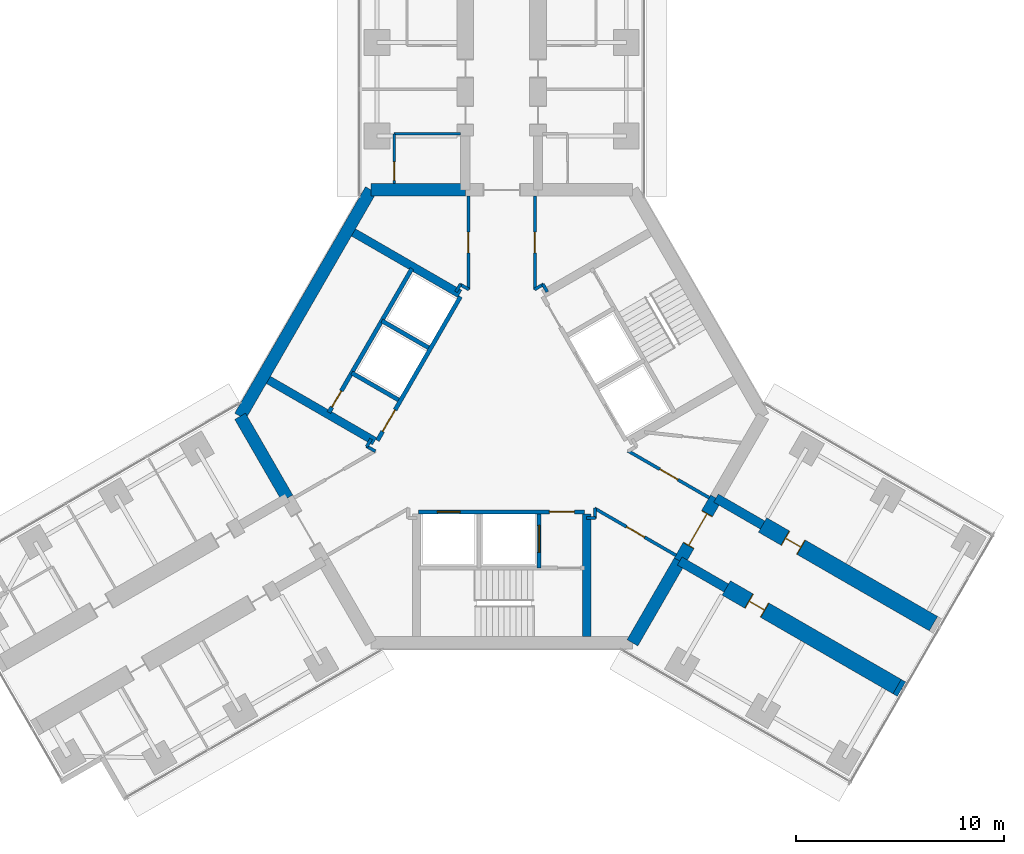
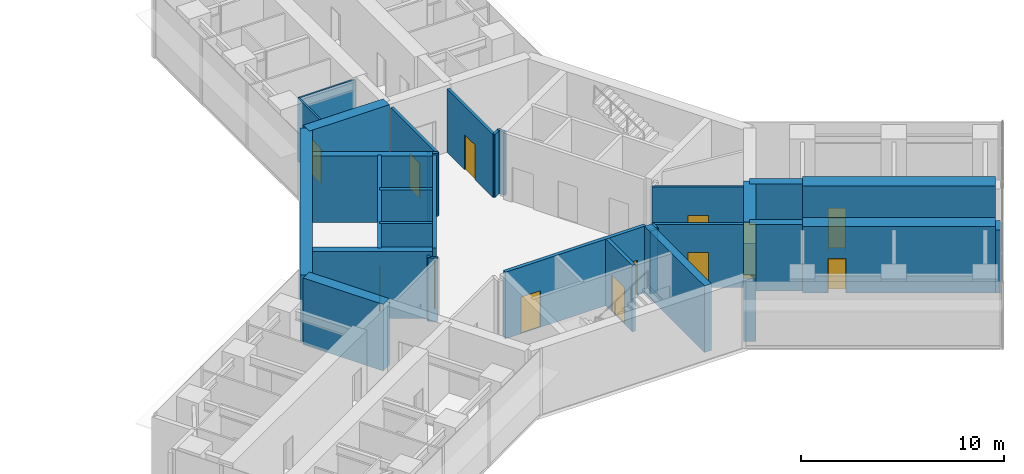
# One storey, part 19 of 23: 33 walls, 13 doors, 13 openings.
"""IFC4 building model written with IfcOpenShell, lengths in metres."""

from ifc_helpers import new_model, si_unit, direction, frame, frame_2d, origin, place, context, subcontext, project, spatial, rectangle, extrude, material, layer, layer_set, type_object, element, fill, save


model = new_model("IFC4")

# Units and contexts
model_context = context("Model", 3, precision=1e-05, world=origin(), true_north=direction((0.0, 1.0)))
body_context = subcontext(model_context, "Body", "Model", "MODEL_VIEW")
ifc_project = project(units=[si_unit("LENGTHUNIT", "METRE"), si_unit("AREAUNIT", "SQUARE_METRE"), si_unit("VOLUMEUNIT", "CUBIC_METRE"), si_unit("PLANEANGLEUNIT", "RADIAN"), si_unit("MASSUNIT", "GRAM", prefix="KILO")], contexts=[model_context])

# Site, building, storey
site_placement = place(None, origin())
site = spatial("IfcSite", under=ifc_project, at=site_placement, CompositionType="ELEMENT")
building_placement = place(site_placement, origin())
building = spatial("IfcBuilding", under=site, at=building_placement, Name="Upepo Twin Towers", CompositionType="ELEMENT")
storey_placement = place(building_placement, frame((0.0, 0.0, 149.5)))
storey = spatial("IfcBuildingStorey", under=building, at=storey_placement, Name="L36", CompositionType="ELEMENT", Elevation=149.5)

# Walls
ifc_material_1 = material(Name="Dense concrete blockwork", Category="masonry")
ifc_layer_1 = layer(ifc_material_1, 0.800048828125)
ifc_layer_set_1 = layer_set([ifc_layer_1], Name="Buttress closer 800, blockwork with fire-stopping to the curtain wall")
wall_type_1 = type_object("IfcWallType", Name="Buttress closer 800, blockwork with fire-stopping to the curtain wall", PredefinedType="PARTITIONING", material=ifc_layer_set_1)
wall_1_placement = place(storey_placement, frame((77.543701171875, -31.015625, 0.0), z_axis=(0.0, 0.0, 1.0), x_axis=(0.865827443207, -0.500342721131, 0.0)))
element("IfcWall", 1, at=wall_1_placement, inside=storey, type_object=wall_type_1, Name="T2 L36 wing C buttress closer R", PredefinedType="PARTITIONING", context=body_context, shape_type="SweptSolid", body=[
    extrude(rectangle(XDim=0.249755859375, YDim=0.800048828125, at=frame_2d((0.125, 0.0))), origin(), (0.0, 0.0, 1.0), 3.800048828125),
])
ifc_material_2 = material(Name="Concrete C60/75", Category="concrete")
ifc_layer_2 = layer(ifc_material_2, 0.449951171875)
ifc_layer_set_2 = layer_set([ifc_layer_2], Name="Concrete C60/75")
wall_type_2 = type_object("IfcWallType", Name="Buttress wall 450 RC", PredefinedType="SHEAR", material=ifc_layer_set_2)
for number, where, z_axis, x_axis, name in (
    (2, (68.82177734375, -21.938720703125, 0.0), (0.0, 0.0, 1.0), (0.866072649678, -0.499918158782, 0.0), "T2 wing C buttress wall L"),
    (3, (67.07177734375, -24.9697265625, 0.0), (0.0, 0.0, 1.0), (0.866031863473, -0.499988811324, 0.0), "T2 wing C buttress wall R"),
):
    element("IfcWall", number, at=place(storey_placement, frame(where, z_axis=z_axis, x_axis=x_axis)), inside=storey, type_object=wall_type_2, Name=name, PredefinedType="SHEAR", context=body_context, shape_type="SweptSolid", body=[
        extrude(rectangle(XDim=2.591796875, YDim=0.449951171875, at=frame_2d((1.2958984375, 0.0))), origin(), (0.0, 0.0, 1.0), 4.0),
    ])

# Wall, opening, door
ifc_material_3 = material(Name="Concrete C60/75", Category="concrete")
ifc_layer_3 = layer(ifc_material_3, 0.800048828125)
ifc_layer_set_3 = layer_set([ifc_layer_3], Name="Concrete C60/75")
wall_type_3 = type_object("IfcWallType", Name="Buttress wall 800 RC", PredefinedType="SHEAR", material=ifc_layer_set_3)
wall_2_placement = place(storey_placement, frame((71.06640625, -23.234375, 0.0), z_axis=(0.0, 0.0, 1.0), x_axis=(0.86602681393, -0.499997557548, 0.0)))
wall_2 = element("IfcWall", 4, at=wall_2_placement, inside=storey, type_object=wall_type_3, Name="T2 wing C buttress wall L part 2", PredefinedType="SHEAR", context=body_context, shape_type="SweptSolid", body=[
    extrude(rectangle(XDim=9.5, YDim=0.800048828125, at=frame_2d((4.75, 0.0))), origin(), (0.0, 0.0, 1.0), 4.0),
])
opening_1_placement = place(wall_2_placement, frame((1.25, 0.0, 0.0)))
opening_1 = element("IfcOpeningElement", 5, at=opening_1_placement, cuts=wall_2, Name="Opening D14", PredefinedType="OPENING", context=body_context, shape_type="SweptSolid", body=[
    extrude(rectangle(XDim=0.89990234375, YDim=2.10009765625, at=frame_2d((0.449951171875, 1.050048828125))), frame((0.0, 0.409912109375, 0.0), z_axis=(0.0, -1.0, 0.0), x_axis=(1.0, 0.0, 0.0)), (0.0, 0.0, 1.0), 0.820068359375),
])
ifc_material_4 = material(Name="Timber doorset", Category="wood")
door_type_1 = type_object("IfcDoorType", Name="Office door 900 FD30", OperationType="SINGLE_SWING_LEFT", PredefinedType="DOOR", material=ifc_material_4)
door_1_placement = place(opening_1_placement, origin())
door_1 = element("IfcDoor", 6, at=door_1_placement, inside=storey, type_object=door_type_1, Name="T2 L36 staff office door", OperationType="SINGLE_SWING_LEFT", OverallHeight=2.10009765625, OverallWidth=0.89990234375, PredefinedType="DOOR", context=body_context, shape_type="SweptSolid", body=[
    extrude(rectangle(XDim=0.81990234375, YDim=2.06009765625, at=frame_2d((0.449951171875, 1.030029296875))), frame((0.0, 0.02490234375, 0.0), z_axis=(0.0, -1.0, 0.0), x_axis=(1.0, 0.0, 0.0)), (0.0, 0.0, 1.0), 0.050048828125),
    extrude(rectangle(XDim=0.04, YDim=2.10009765625, at=frame_2d((0.02001953125, 1.050048828125))), frame((0.0, 0.39990234375, 0.0), z_axis=(0.0, -1.0, 0.0), x_axis=(1.0, 0.0, 0.0)), (0.0, 0.0, 1.0), 0.799560546875),
    extrude(rectangle(XDim=0.04, YDim=2.10009765625, at=frame_2d((0.8798828125, 1.050048828125))), frame((0.0, 0.39990234375, 0.0), z_axis=(0.0, -1.0, 0.0), x_axis=(1.0, 0.0, 0.0)), (0.0, 0.0, 1.0), 0.799560546875),
    extrude(rectangle(XDim=0.81990234375, YDim=0.04, at=frame_2d((0.449951171875, 2.080078125))), frame((0.0, 0.39990234375, 0.0), z_axis=(0.0, -1.0, 0.0), x_axis=(1.0, 0.0, 0.0)), (0.0, 0.0, 1.0), 0.799560546875),
])
fill(opening_1, door_1)

wall_3_placement = place(storey_placement, frame((69.31640625, -26.265625, 0.0), z_axis=(0.0, 0.0, 1.0), x_axis=(0.86602681393, -0.499997557548, 0.0)))
wall_3 = element("IfcWall", 7, at=wall_3_placement, inside=storey, type_object=wall_type_3, Name="T2 wing C buttress wall R part 2", PredefinedType="SHEAR", context=body_context, shape_type="SweptSolid", body=[
    extrude(rectangle(XDim=9.5, YDim=0.800048828125, at=frame_2d((4.75, 0.0))), origin(), (0.0, 0.0, 1.0), 4.0),
])
opening_2_placement = place(wall_3_placement, frame((1.25, 0.0, 0.0)))
opening_2 = element("IfcOpeningElement", 8, at=opening_2_placement, cuts=wall_3, Name="Opening D14", PredefinedType="OPENING", context=body_context, shape_type="SweptSolid", body=[
    extrude(rectangle(XDim=0.89990234375, YDim=2.10009765625, at=frame_2d((0.449951171875, 1.050048828125))), frame((0.0, 0.409912109375, 0.0), z_axis=(0.0, -1.0, 0.0), x_axis=(1.0, 0.0, 0.0)), (0.0, 0.0, 1.0), 0.820068359375),
])
door_2_placement = place(opening_2_placement, origin())
door_2 = element("IfcDoor", 9, at=door_2_placement, inside=storey, type_object=door_type_1, Name="T2 L36 staff office door", OperationType="SINGLE_SWING_LEFT", OverallHeight=2.10009765625, OverallWidth=0.89990234375, PredefinedType="DOOR", context=body_context, shape_type="SweptSolid", body=[
    extrude(rectangle(XDim=0.81990234375, YDim=2.06009765625, at=frame_2d((0.449951171875, 1.030029296875))), frame((0.0, 0.02490234375, 0.0), z_axis=(0.0, -1.0, 0.0), x_axis=(1.0, 0.0, 0.0)), (0.0, 0.0, 1.0), 0.050048828125),
    extrude(rectangle(XDim=0.04, YDim=2.10009765625, at=frame_2d((0.02001953125, 1.050048828125))), frame((0.0, 0.39990234375, 0.0), z_axis=(0.0, -1.0, 0.0), x_axis=(1.0, 0.0, 0.0)), (0.0, 0.0, 1.0), 0.799560546875),
    extrude(rectangle(XDim=0.04, YDim=2.10009765625, at=frame_2d((0.8798828125, 1.050048828125))), frame((0.0, 0.39990234375, 0.0), z_axis=(0.0, -1.0, 0.0), x_axis=(1.0, 0.0, 0.0)), (0.0, 0.0, 1.0), 0.799560546875),
    extrude(rectangle(XDim=0.81990234375, YDim=0.04, at=frame_2d((0.449951171875, 2.080078125))), frame((0.0, 0.39990234375, 0.0), z_axis=(0.0, -1.0, 0.0), x_axis=(1.0, 0.0, 0.0)), (0.0, 0.0, 1.0), 0.799560546875),
])
fill(opening_2, door_2)

# Walls
ifc_material_5 = material(Name="Concrete C60/75", Category="concrete")
ifc_layer_4 = layer(ifc_material_5, 0.60009765625)
ifc_layer_set_4 = layer_set([ifc_layer_4], Name="Concrete C60/75")
wall_type_4 = type_object("IfcWallType", Name="Core wall 600 RC", PredefinedType="SHEAR", material=ifc_layer_set_4)
wall_4_placement = place(storey_placement, frame((56.75, -7.091552734375, 0.0), z_axis=(0.0, 0.0, 1.0), x_axis=(-1.0, 0.0, 0.0)))
element("IfcWall", 10, at=wall_4_placement, inside=storey, type_object=wall_type_4, Name="T2 core wall 000 L", PredefinedType="SHEAR", context=body_context, shape_type="SweptSolid", body=[
    extrude(rectangle(XDim=4.5478515625, YDim=0.60009765625, at=frame_2d((2.27392578125, 0.0))), origin(), (0.0, 0.0, 1.0), 4.0),
])
wall_5_placement = place(storey_placement, frame((52.2021484375, -7.091552734375, 0.0), z_axis=(0.0, 0.0, 1.0), x_axis=(-0.500005998175, -0.866021940709, 0.0)))
element("IfcWall", 11, at=wall_5_placement, inside=storey, type_object=wall_type_4, Name="T2 core wall 060", PredefinedType="SHEAR", context=body_context, shape_type="SweptSolid", body=[
    extrude(rectangle(XDim=12.595947265625, YDim=0.60009765625, at=frame_2d((6.2978515625, 0.0))), origin(), (0.0, 0.0, 1.0), 4.0),
])
for number, where, z_axis, x_axis, name in (
    (12, (45.904052734375, -18.0, 0.0), (0.0, 0.0, 1.0), (0.500024481964, -0.866011268655, 0.0), "T2 core wall 120 R"),
    (13, (64.7978515625, -28.908447265625, 0.0), (0.0, 0.0, 1.0), (0.499984222037, 0.866034513004, 0.0), "T2 core wall 240 R"),
):
    element("IfcWall", number, at=place(storey_placement, frame(where, z_axis=z_axis, x_axis=x_axis)), inside=storey, type_object=wall_type_4, Name=name, PredefinedType="SHEAR", context=body_context, shape_type="SweptSolid", body=[
        extrude(rectangle(XDim=4.548095703125, YDim=0.60009765625, at=frame_2d((2.27392578125, 0.0))), origin(), (0.0, 0.0, 1.0), 4.0),
    ])

# Wall, opening, door
wall_6_placement = place(storey_placement, frame((67.07177734375, -24.9697265625, 0.0), z_axis=(0.0, 0.0, 1.0), x_axis=(0.500010275428, 0.866019471182, 0.0)))
wall_6 = element("IfcWall", 14, at=wall_6_placement, inside=storey, type_object=wall_type_4, Name="T2 core wall 240", PredefinedType="SHEAR", context=body_context, shape_type="SweptSolid", body=[
    extrude(rectangle(XDim=3.5, YDim=0.60009765625, at=frame_2d((1.75, 0.0))), origin(), (0.0, 0.0, 1.0), 4.0),
])
opening_3_placement = place(wall_6_placement, frame((0.85009765625, 0.0, 0.0)))
opening_3 = element("IfcOpeningElement", 15, at=opening_3_placement, cuts=wall_6, Name="Opening D2", PredefinedType="OPENING", context=body_context, shape_type="SweptSolid", body=[
    extrude(rectangle(XDim=1.800048828125, YDim=2.10009765625, at=frame_2d((0.89990234375, 1.050048828125))), frame((0.0, 0.31005859375, 0.0), z_axis=(0.0, -1.0, 0.0), x_axis=(1.0, 0.0, 0.0)), (0.0, 0.0, 1.0), 0.6201171875),
])
ifc_material_6 = material(Name="Timber doorset", Category="wood")
door_type_2 = type_object("IfcDoorType", Name="Corridor double door 1800 FD60", OperationType="DOUBLE_DOOR_DOUBLE_SWING", PredefinedType="DOOR", material=ifc_material_6)
door_3_placement = place(opening_3_placement, origin())
door_3 = element("IfcDoor", 16, at=door_3_placement, inside=storey, type_object=door_type_2, Name="T2 L36 wing C corridor door", OperationType="DOUBLE_DOOR_DOUBLE_SWING", OverallHeight=2.10009765625, OverallWidth=1.800048828125, PredefinedType="DOOR", context=body_context, shape_type="SweptSolid", body=[
    extrude(rectangle(XDim=1.720048828125, YDim=2.06009765625, at=frame_2d((0.89990234375, 1.030029296875))), frame((0.0, 0.02490234375, 0.0), z_axis=(0.0, -1.0, 0.0), x_axis=(1.0, 0.0, 0.0)), (0.0, 0.0, 1.0), 0.050048828125),
    extrude(rectangle(XDim=0.04, YDim=2.10009765625, at=frame_2d((0.02001953125, 1.050048828125))), frame((0.0, 0.2998046875, 0.0), z_axis=(0.0, -1.0, 0.0), x_axis=(1.0, 0.0, 0.0)), (0.0, 0.0, 1.0), 0.599609375),
    extrude(rectangle(XDim=0.04, YDim=2.10009765625, at=frame_2d((1.780029296875, 1.050048828125))), frame((0.0, 0.2998046875, 0.0), z_axis=(0.0, -1.0, 0.0), x_axis=(1.0, 0.0, 0.0)), (0.0, 0.0, 1.0), 0.599609375),
    extrude(rectangle(XDim=1.720048828125, YDim=0.04, at=frame_2d((0.89990234375, 2.080078125))), frame((0.0, 0.2998046875, 0.0), z_axis=(0.0, -1.0, 0.0), x_axis=(1.0, 0.0, 0.0)), (0.0, 0.0, 1.0), 0.599609375),
])
fill(opening_3, door_3)

ifc_material_7 = material(Name="Gypsum board on steel studs", Category="steel")
ifc_layer_5 = layer(ifc_material_7, 0.10009765625)
ifc_layer_set_5 = layer_set([ifc_layer_5], Name="Office partition 100 stud")
wall_type_5 = type_object("IfcWallType", Name="Office partition 100 stud", PredefinedType="PARTITIONING", material=ifc_layer_set_5)
wall_7_placement = place(storey_placement, frame((53.324951171875, -6.7919921875, 0.0), z_axis=(0.0, 0.0, 1.0), x_axis=(0.0, 1.0, 0.0)))
wall_7 = element("IfcWall", 17, at=wall_7_placement, inside=storey, type_object=wall_type_5, Name="T2 WC bay partition AL at 11.21", PredefinedType="PARTITIONING", context=body_context, shape_type="SweptSolid", body=[
    extrude(rectangle(XDim=2.39990234375, YDim=0.10009765625, at=frame_2d((1.199951171875, 0.0))), origin(), (0.0, 0.0, 1.0), 3.800048828125),
])
opening_4_placement = place(wall_7_placement, frame((0.14990234375, 0.0, 0.0)))
opening_4 = element("IfcOpeningElement", 18, at=opening_4_placement, cuts=wall_7, Name="Opening D14", PredefinedType="OPENING", context=body_context, shape_type="SweptSolid", body=[
    extrude(rectangle(XDim=0.89990234375, YDim=2.10009765625, at=frame_2d((0.449951171875, 1.050048828125))), frame((0.0, 0.06005859375, 0.0), z_axis=(0.0, -1.0, 0.0), x_axis=(1.0, 0.0, 0.0)), (0.0, 0.0, 1.0), 0.1201171875),
])
door_4_placement = place(opening_4_placement, origin())
door_4 = element("IfcDoor", 19, at=door_4_placement, inside=storey, type_object=door_type_1, Name="T2 L36 WC bay inner room door", OperationType="SINGLE_SWING_LEFT", OverallHeight=2.10009765625, OverallWidth=0.89990234375, PredefinedType="DOOR", context=body_context, shape_type="SweptSolid", body=[
    extrude(rectangle(XDim=0.89990234375, YDim=2.10009765625, at=frame_2d((0.449951171875, 1.050048828125))), frame((0.0, 0.02490234375, 0.0), z_axis=(0.0, -1.0, 0.0), x_axis=(1.0, 0.0, 0.0)), (0.0, 0.0, 1.0), 0.050048828125),
])
fill(opening_4, door_4)

# Wall
wall_8_placement = place(storey_placement, frame((56.52490234375, -4.39208984375, 0.0), z_axis=(0.0, 0.0, 1.0), x_axis=(-1.0, 0.0, 0.0)))
element("IfcWall", 20, at=wall_8_placement, inside=storey, type_object=wall_type_5, Name="T2 WC bay partition AL end at 13.61", PredefinedType="PARTITIONING", context=body_context, shape_type="SweptSolid", body=[
    extrude(rectangle(XDim=3.199951171875, YDim=0.10009765625, at=frame_2d((1.60009765625, 0.0))), origin(), (0.0, 0.0, 1.0), 3.800048828125),
])

# Wall, opening, door
ifc_material_8 = material(Name="Concrete C40/50", Category="concrete")
ifc_layer_6 = layer(ifc_material_8, 0.199951171875)
ifc_layer_set_6 = layer_set([ifc_layer_6], Name="Concrete C40/50")
wall_type_6 = type_object("IfcWallType", Name="Shaft wall 200 RC", PredefinedType="SHEAR", material=ifc_layer_set_6)
wall_9_placement = place(storey_placement, frame((56.516357421875, -12.23583984375, 0.0), z_axis=(0.0, 0.0, 1.0), x_axis=(-0.49999894854, -0.866026010844, 0.0)))
wall_9 = element("IfcWall", 21, at=wall_9_placement, inside=storey, type_object=wall_type_6, Name="T2 core W60 front wall", PredefinedType="SHEAR", context=body_context, shape_type="SweptSolid", body=[
    extrude(rectangle(XDim=8.0, YDim=0.199951171875, at=frame_2d((4.0, 0.0))), origin(), (0.0, 0.0, 1.0), 4.0),
])
opening_5_placement = place(wall_9_placement, frame((6.300048828125, 0.0, 0.0)))
opening_5 = element("IfcOpeningElement", 22, at=opening_5_placement, cuts=wall_9, Name="Opening D4", PredefinedType="OPENING", context=body_context, shape_type="SweptSolid", body=[
    extrude(rectangle(XDim=1.199951171875, YDim=2.10009765625, at=frame_2d((0.60009765625, 1.050048828125))), frame((0.0, 0.10986328125, 0.0), z_axis=(0.0, -1.0, 0.0), x_axis=(1.0, 0.0, 0.0)), (0.0, 0.0, 1.0), 0.219970703125),
])
ifc_material_9 = material(Name="Timber doorset", Category="wood")
door_type_3 = type_object("IfcDoorType", Name="Lobby door 1200 FD60", OperationType="SINGLE_SWING_LEFT", PredefinedType="DOOR", material=ifc_material_9)
door_5_placement = place(opening_5_placement, origin())
door_5 = element("IfcDoor", 23, at=door_5_placement, inside=storey, type_object=door_type_3, Name="T2 L36 W60 lobby door", OperationType="SINGLE_SWING_RIGHT", OverallHeight=2.10009765625, OverallWidth=1.199951171875, PredefinedType="DOOR", context=body_context, shape_type="SweptSolid", body=[
    extrude(rectangle(XDim=1.199951171875, YDim=2.10009765625, at=frame_2d((0.60009765625, 1.050048828125))), frame((0.0, 0.02490234375, 0.0), z_axis=(0.0, -1.0, 0.0), x_axis=(1.0, 0.0, 0.0)), (0.0, 0.0, 1.0), 0.050048828125),
])
fill(opening_5, door_5)

# Walls
for number, where, z_axis, x_axis, name in (
    (24, (54.979736328125, -14.697265625, 0.0), (0.0, 0.0, 1.0), (-0.866062058628, 0.499936506574, 0.0), "T2 core W60 shaft divider"),
    (25, (53.52978515625, -17.208740234375, 0.0), (0.0, 0.0, 1.0), (-0.866062058628, 0.499936506574, 0.0), "T2 core W60 lobby wall"),
):
    element("IfcWall", number, at=place(storey_placement, frame(where, z_axis=z_axis, x_axis=x_axis)), inside=storey, type_object=wall_type_6, Name=name, PredefinedType="SHEAR", context=body_context, shape_type="SweptSolid", body=[
        extrude(rectangle(XDim=2.599853515625, YDim=0.199951171875, at=frame_2d((1.2998046875, 0.0))), origin(), (0.0, 0.0, 1.0), 4.0),
    ])

# Wall, opening, door
wall_10_placement = place(storey_placement, frame((54.177978515625, -10.885986328125, 0.0), z_axis=(0.0, 0.0, 1.0), x_axis=(-0.49999894854, -0.866026010844, 0.0)))
wall_10 = element("IfcWall", 26, at=wall_10_placement, inside=storey, type_object=wall_type_6, Name="T2 core W60 stair wall", PredefinedType="SHEAR", context=body_context, shape_type="SweptSolid", body=[
    extrude(rectangle(XDim=8.0, YDim=0.199951171875, at=frame_2d((4.0, 0.0))), origin(), (0.0, 0.0, 1.0), 4.0),
])
opening_6_placement = place(wall_10_placement, frame((6.800048828125, 0.0, 0.0)))
opening_6 = element("IfcOpeningElement", 27, at=opening_6_placement, cuts=wall_10, Name="Opening D9", PredefinedType="OPENING", context=body_context, shape_type="SweptSolid", body=[
    extrude(rectangle(XDim=0.89990234375, YDim=2.10009765625, at=frame_2d((0.449951171875, 1.050048828125))), frame((0.0, 0.10986328125, 0.0), z_axis=(0.0, -1.0, 0.0), x_axis=(1.0, 0.0, 0.0)), (0.0, 0.0, 1.0), 0.219970703125),
])
ifc_material_10 = material(Name="Timber doorset", Category="wood")
door_type_4 = type_object("IfcDoorType", Name="Riser door 900 FD60", OperationType="SINGLE_SWING_LEFT", PredefinedType="DOOR", material=ifc_material_10)
door_6_placement = place(opening_6_placement, origin())
door_6 = element("IfcDoor", 28, at=door_6_placement, inside=storey, type_object=door_type_4, Name="T2 L36 riser door", OperationType="SINGLE_SWING_RIGHT", OverallHeight=2.10009765625, OverallWidth=0.89990234375, PredefinedType="DOOR", context=body_context, shape_type="SweptSolid", body=[
    extrude(rectangle(XDim=0.89990234375, YDim=2.10009765625, at=frame_2d((0.449951171875, 1.050048828125))), frame((0.0, 0.02490234375, 0.0), z_axis=(0.0, -1.0, 0.0), x_axis=(1.0, 0.0, 0.0)), (0.0, 0.0, 1.0), 0.050048828125),
])
fill(opening_6, door_6)

# Wall, openings, doors
wall_11_placement = place(storey_placement, frame((54.5, -22.60009765625, 0.0), z_axis=(0.0, 0.0, 1.0), x_axis=(1.0, 0.0, 0.0)))
wall_11 = element("IfcWall", 29, at=wall_11_placement, inside=storey, type_object=wall_type_6, Name="T2 core W180 front wall", PredefinedType="SHEAR", context=body_context, shape_type="SweptSolid", body=[
    extrude(rectangle(XDim=8.0, YDim=0.199951171875, at=frame_2d((4.0, 0.0))), origin(), (0.0, 0.0, 1.0), 4.0),
])
opening_7_placement = place(wall_11_placement, frame((6.300048828125, 0.0, 0.0)))
opening_7 = element("IfcOpeningElement", 30, at=opening_7_placement, cuts=wall_11, Name="Opening D4", PredefinedType="OPENING", context=body_context, shape_type="SweptSolid", body=[
    extrude(rectangle(XDim=1.199951171875, YDim=2.10009765625, at=frame_2d((0.60009765625, 1.050048828125))), frame((0.0, 0.10986328125, 0.0), z_axis=(0.0, -1.0, 0.0), x_axis=(1.0, 0.0, 0.0)), (0.0, 0.0, 1.0), 0.219970703125),
])
opening_8_placement = place(wall_11_placement, frame((0.89990234375, 0.0, 0.0)))
opening_8 = element("IfcOpeningElement", 31, at=opening_8_placement, cuts=wall_11, Name="Opening LD1", PredefinedType="OPENING", context=body_context, shape_type="SweptSolid", body=[
    extrude(rectangle(XDim=1.10009765625, YDim=2.199951171875, at=frame_2d((0.550048828125, 1.10009765625))), frame((0.0, 0.10986328125, 0.0), z_axis=(0.0, -1.0, 0.0), x_axis=(1.0, 0.0, 0.0)), (0.0, 0.0, 1.0), 0.219970703125),
])
ifc_material_11 = material(Name="Steel doorset", Category="steel")
door_type_5 = type_object("IfcDoorType", Name="Lift landing door 1100", OperationType="DOUBLE_DOOR_SLIDING", PredefinedType="DOOR", material=ifc_material_11)
door_7_placement = place(opening_8_placement, origin())
door_7 = element("IfcDoor", 32, at=door_7_placement, inside=storey, type_object=door_type_5, Name="T2 L36 lift SV1 landing door", OperationType="DOUBLE_DOOR_SLIDING", OverallHeight=2.199951171875, OverallWidth=1.10009765625, PredefinedType="DOOR", context=body_context, shape_type="SweptSolid", body=[
    extrude(rectangle(XDim=1.10009765625, YDim=2.199951171875, at=frame_2d((0.550048828125, 1.10009765625))), frame((0.0, 0.02490234375, 0.0), z_axis=(0.0, -1.0, 0.0), x_axis=(1.0, 0.0, 0.0)), (0.0, 0.0, 1.0), 0.050048828125),
])
fill(opening_8, door_7)
door_8_placement = place(opening_7_placement, origin())
door_8 = element("IfcDoor", 33, at=door_8_placement, inside=storey, type_object=door_type_3, Name="T2 L36 W180 lobby door", OperationType="SINGLE_SWING_RIGHT", OverallHeight=2.10009765625, OverallWidth=1.199951171875, PredefinedType="DOOR", context=body_context, shape_type="SweptSolid", body=[
    extrude(rectangle(XDim=1.199951171875, YDim=2.10009765625, at=frame_2d((0.60009765625, 1.050048828125))), frame((0.0, 0.02490234375, 0.0), z_axis=(0.0, -1.0, 0.0), x_axis=(1.0, 0.0, 0.0)), (0.0, 0.0, 1.0), 0.050048828125),
])
fill(opening_7, door_8)

# Wall, opening, door
wall_12_placement = place(storey_placement, frame((60.300048828125, -22.699951171875, 0.0), z_axis=(0.0, 0.0, 1.0), x_axis=(0.0, -1.0, 0.0)))
wall_12 = element("IfcWall", 34, at=wall_12_placement, inside=storey, type_object=wall_type_6, Name="T2 core W180 lobby wall", PredefinedType="SHEAR", context=body_context, shape_type="SweptSolid", body=[
    extrude(rectangle(XDim=2.60009765625, YDim=0.199951171875, at=frame_2d((1.300048828125, 0.0))), origin(), (0.0, 0.0, 1.0), 4.0),
])
opening_9_placement = place(wall_12_placement, frame((0.550048828125, 0.0, 0.0)))
opening_9 = element("IfcOpeningElement", 35, at=opening_9_placement, cuts=wall_12, Name="Opening LD2", PredefinedType="OPENING", context=body_context, shape_type="SweptSolid", body=[
    extrude(rectangle(XDim=1.300048828125, YDim=2.199951171875, at=frame_2d((0.64990234375, 1.10009765625))), frame((0.0, 0.10986328125, 0.0), z_axis=(0.0, -1.0, 0.0), x_axis=(1.0, 0.0, 0.0)), (0.0, 0.0, 1.0), 0.219970703125),
])
ifc_material_12 = material(Name="Steel doorset", Category="steel")
door_type_6 = type_object("IfcDoorType", Name="Firefighting lift landing door 1300", OperationType="DOUBLE_DOOR_SLIDING", PredefinedType="DOOR", material=ifc_material_12)
door_9_placement = place(opening_9_placement, origin())
door_9 = element("IfcDoor", 36, at=door_9_placement, inside=storey, type_object=door_type_6, Name="T2 L36 firefighting lift landing door", OperationType="DOUBLE_DOOR_SLIDING", OverallHeight=2.199951171875, OverallWidth=1.300048828125, PredefinedType="DOOR", context=body_context, shape_type="SweptSolid", body=[
    extrude(rectangle(XDim=1.300048828125, YDim=2.199951171875, at=frame_2d((0.64990234375, 1.10009765625))), frame((0.0, 0.02490234375, 0.0), z_axis=(0.0, -1.0, 0.0), x_axis=(1.0, 0.0, 0.0)), (0.0, 0.0, 1.0), 0.050048828125),
])
fill(opening_9, door_9)

# Walls
ifc_material_13 = material(Name="Concrete C40/50", Category="concrete")
ifc_layer_7 = layer(ifc_material_13, 0.39990234375)
ifc_layer_set_7 = layer_set([ifc_layer_7], Name="Concrete C40/50")
wall_type_7 = type_object("IfcWallType", Name="Shaft wall 400 RC", PredefinedType="SHEAR", material=ifc_layer_set_7)
wall_13_placement = place(storey_placement, frame((52.379638671875, -19.20068359375, 0.0), z_axis=(0.0, 0.0, 1.0), x_axis=(-0.866027317282, 0.49999668571, 0.0)))
element("IfcWall", 37, at=wall_13_placement, inside=storey, type_object=wall_type_7, Name="T2 core W60 side wall N", PredefinedType="SHEAR", context=body_context, shape_type="SweptSolid", body=[
    extrude(rectangle(XDim=5.908203125, YDim=0.39990234375, at=frame_2d((2.9541015625, 0.0))), origin(), (0.0, 0.0, 1.0), 4.0),
])
for number, where, z_axis, x_axis, name in (
    (38, (56.479736328125, -12.099365234375, 0.0), (0.0, 0.0, 1.0), (-0.866009424208, 0.500027676417, 0.0), "T2 core W60 side wall S"),
    (39, (62.60009765625, -22.699951171875, 0.0), (0.0, 0.0, 1.0), (0.0, -1.0, 0.0), "T2 core W180 side wall N"),
):
    element("IfcWall", number, at=place(storey_placement, frame(where, z_axis=z_axis, x_axis=x_axis)), inside=storey, type_object=wall_type_7, Name=name, PredefinedType="SHEAR", context=body_context, shape_type="SweptSolid", body=[
        extrude(rectangle(XDim=5.908447265625, YDim=0.39990234375, at=frame_2d((2.9541015625, 0.0))), origin(), (0.0, 0.0, 1.0), 4.0),
    ])
ifc_material_14 = material(Name="Gypsum board on steel studs", Category="steel")
ifc_layer_8 = layer(ifc_material_14, 0.14990234375)
ifc_layer_set_8 = layer_set([ifc_layer_8], Name="Teaching partition 150 acoustic")
wall_type_8 = type_object("IfcWallType", Name="Teaching partition 150 acoustic", PredefinedType="PARTITIONING", material=ifc_layer_set_8)
wall_14_placement = place(storey_placement, frame((52.417236328125, -19.684326171875, 0.0), z_axis=(0.0, 0.0, 1.0), x_axis=(-0.865831790172, 0.50033519877, 0.0)))
element("IfcWall", 40, at=wall_14_placement, inside=storey, type_object=wall_type_8, Name="T2 core room partition 4", PredefinedType="PARTITIONING", context=body_context, shape_type="SweptSolid", body=[
    extrude(rectangle(XDim=0.494384765625, YDim=0.14990234375, at=frame_2d((0.2470703125, 0.0))), origin(), (0.0, 0.0, 1.0), 3.800048828125),
])
for number, where, z_axis, x_axis, name in (
    (41, (51.99658203125, -19.46435546875, 0.0), (0.0, 0.0, 1.0), (0.499804398801, 0.866138304741, 0.0), "T2 core room partition 5"),
    (42, (56.301513671875, -12.0078125, 0.0), (0.0, 0.0, 1.0), (0.500230298122, 0.865892400268, 0.0), "T2 core room partition 6"),
):
    element("IfcWall", number, at=place(storey_placement, frame(where, z_axis=z_axis, x_axis=x_axis)), inside=storey, type_object=wall_type_8, Name=name, PredefinedType="PARTITIONING", context=body_context, shape_type="SweptSolid", body=[
        extrude(rectangle(XDim=0.429931640625, YDim=0.14990234375, at=frame_2d((0.21484375, 0.0))), origin(), (0.0, 0.0, 1.0), 3.800048828125),
    ])
wall_15_placement = place(storey_placement, frame((56.4892578125, -11.642822265625, 0.0), z_axis=(0.0, 0.0, 1.0), x_axis=(0.865831790172, -0.50033519877, 0.0)))
element("IfcWall", 43, at=wall_15_placement, inside=storey, type_object=wall_type_8, Name="T2 core room partition 7", PredefinedType="PARTITIONING", context=body_context, shape_type="SweptSolid", body=[
    extrude(rectangle(XDim=0.494384765625, YDim=0.14990234375, at=frame_2d((0.2470703125, 0.0))), origin(), (0.0, 0.0, 1.0), 3.800048828125),
])

# Wall, opening, door
wall_16_placement = place(storey_placement, frame((56.89990234375, -11.900146484375, 0.0), z_axis=(0.0, 0.0, 1.0), x_axis=(0.0, 1.0, 0.0)))
wall_16 = element("IfcWall", 44, at=wall_16_placement, inside=storey, type_object=wall_type_8, Name="T2 core room partition 8", PredefinedType="PARTITIONING", context=body_context, shape_type="SweptSolid", body=[
    extrude(rectangle(XDim=4.5185546875, YDim=0.14990234375, at=frame_2d((2.25927734375, 0.0))), origin(), (0.0, 0.0, 1.0), 3.800048828125),
])
opening_10_placement = place(wall_16_placement, frame((1.769287109375, 0.0, 0.0)))
opening_10 = element("IfcOpeningElement", 45, at=opening_10_placement, cuts=wall_16, Name="Opening D1", PredefinedType="OPENING", context=body_context, shape_type="SweptSolid", body=[
    extrude(rectangle(XDim=1.0, YDim=2.10009765625, at=frame_2d((0.5, 1.050048828125))), frame((0.0, 0.0849609375, 0.0), z_axis=(0.0, -1.0, 0.0), x_axis=(1.0, 0.0, 0.0)), (0.0, 0.0, 1.0), 0.169921875),
])
ifc_material_15 = material(Name="Timber doorset", Category="wood")
door_type_7 = type_object("IfcDoorType", Name="Room door 1000 FD30", OperationType="SINGLE_SWING_LEFT", PredefinedType="DOOR", material=ifc_material_15)
door_10_placement = place(opening_10_placement, origin())
door_10 = element("IfcDoor", 46, at=door_10_placement, inside=storey, type_object=door_type_7, Name="T2 L36 core room door K7", OperationType="SINGLE_SWING_RIGHT", OverallHeight=2.10009765625, OverallWidth=1.0, PredefinedType="DOOR", context=body_context, shape_type="SweptSolid", body=[
    extrude(rectangle(XDim=1.0, YDim=2.10009765625, at=frame_2d((0.5, 1.050048828125))), frame((0.0, 0.02490234375, 0.0), z_axis=(0.0, -1.0, 0.0), x_axis=(1.0, 0.0, 0.0)), (0.0, 0.0, 1.0), 0.050048828125),
])
fill(opening_10, door_10)

wall_17_placement = place(storey_placement, frame((60.10009765625, -7.381591796875, 0.0), z_axis=(0.0, 0.0, 1.0), x_axis=(0.0, -1.0, 0.0)))
wall_17 = element("IfcWall", 47, at=wall_17_placement, inside=storey, type_object=wall_type_8, Name="T2 core room partition 9", PredefinedType="PARTITIONING", context=body_context, shape_type="SweptSolid", body=[
    extrude(rectangle(XDim=4.5185546875, YDim=0.14990234375, at=frame_2d((2.25927734375, 0.0))), origin(), (0.0, 0.0, 1.0), 3.800048828125),
])
opening_11_placement = place(wall_17_placement, frame((1.7490234375, 0.0, 0.0)))
opening_11 = element("IfcOpeningElement", 48, at=opening_11_placement, cuts=wall_17, Name="Opening D1", PredefinedType="OPENING", context=body_context, shape_type="SweptSolid", body=[
    extrude(rectangle(XDim=1.0, YDim=2.10009765625, at=frame_2d((0.5, 1.050048828125))), frame((0.0, 0.0849609375, 0.0), z_axis=(0.0, -1.0, 0.0), x_axis=(1.0, 0.0, 0.0)), (0.0, 0.0, 1.0), 0.169921875),
])
door_11_placement = place(opening_11_placement, origin())
door_11 = element("IfcDoor", 49, at=door_11_placement, inside=storey, type_object=door_type_7, Name="T2 L36 core room door K6", OperationType="SINGLE_SWING_LEFT", OverallHeight=2.10009765625, OverallWidth=1.0, PredefinedType="DOOR", context=body_context, shape_type="SweptSolid", body=[
    extrude(rectangle(XDim=1.0, YDim=2.10009765625, at=frame_2d((0.5, 1.050048828125))), frame((0.0, 0.02490234375, 0.0), z_axis=(0.0, -1.0, 0.0), x_axis=(1.0, 0.0, 0.0)), (0.0, 0.0, 1.0), 0.050048828125),
])
fill(opening_11, door_11)

# Walls
wall_18_placement = place(storey_placement, frame((60.082763671875, -11.89013671875, 0.0), z_axis=(0.0, 0.0, 1.0), x_axis=(0.865831790172, 0.50033519877, 0.0)))
element("IfcWall", 50, at=wall_18_placement, inside=storey, type_object=wall_type_8, Name="T2 core room partition 10", PredefinedType="PARTITIONING", context=body_context, shape_type="SweptSolid", body=[
    extrude(rectangle(XDim=0.494384765625, YDim=0.14990234375, at=frame_2d((0.2470703125, 0.0))), origin(), (0.0, 0.0, 1.0), 3.800048828125),
])
wall_19_placement = place(storey_placement, frame((60.4833984375, -11.635498046875, 0.0), z_axis=(0.0, 0.0, 1.0), x_axis=(0.500230298122, -0.865892400268, 0.0)))
element("IfcWall", 51, at=wall_19_placement, inside=storey, type_object=wall_type_8, Name="T2 core room partition 11", PredefinedType="PARTITIONING", context=body_context, shape_type="SweptSolid", body=[
    extrude(rectangle(XDim=0.429931640625, YDim=0.14990234375, at=frame_2d((0.21484375, 0.0))), origin(), (0.0, 0.0, 1.0), 3.800048828125),
])

# Wall, opening, door
wall_20_placement = place(storey_placement, frame((64.582763671875, -19.664306640625, 0.0), z_axis=(0.0, 0.0, 1.0), x_axis=(0.866006515865, -0.500032713409, 0.0)))
wall_20 = element("IfcWall", 52, at=wall_20_placement, inside=storey, type_object=wall_type_8, Name="T2 core room partition 14", PredefinedType="PARTITIONING", context=body_context, shape_type="SweptSolid", body=[
    extrude(rectangle(XDim=4.518310546875, YDim=0.14990234375, at=frame_2d((2.25927734375, 0.0))), origin(), (0.0, 0.0, 1.0), 3.800048828125),
])
opening_12_placement = place(wall_20_placement, frame((1.769287109375, 0.0, 0.0)))
opening_12 = element("IfcOpeningElement", 53, at=opening_12_placement, cuts=wall_20, Name="Opening D1", PredefinedType="OPENING", context=body_context, shape_type="SweptSolid", body=[
    extrude(rectangle(XDim=1.0, YDim=2.10009765625, at=frame_2d((0.5, 1.050048828125))), frame((0.0, 0.0849609375, 0.0), z_axis=(0.0, -1.0, 0.0), x_axis=(1.0, 0.0, 0.0)), (0.0, 0.0, 1.0), 0.169921875),
])
door_12_placement = place(opening_12_placement, origin())
door_12 = element("IfcDoor", 54, at=door_12_placement, inside=storey, type_object=door_type_7, Name="T2 L36 core room door K4", OperationType="SINGLE_SWING_RIGHT", OverallHeight=2.10009765625, OverallWidth=1.0, PredefinedType="DOOR", context=body_context, shape_type="SweptSolid", body=[
    extrude(rectangle(XDim=1.0, YDim=2.10009765625, at=frame_2d((0.5, 1.050048828125))), frame((0.0, 0.02490234375, 0.0), z_axis=(0.0, -1.0, 0.0), x_axis=(1.0, 0.0, 0.0)), (0.0, 0.0, 1.0), 0.050048828125),
])
fill(opening_12, door_12)

wall_21_placement = place(storey_placement, frame((66.895751953125, -24.69482421875, 0.0), z_axis=(0.0, 0.0, 1.0), x_axis=(-0.86602002524, 0.500009315796, 0.0)))
wall_21 = element("IfcWall", 55, at=wall_21_placement, inside=storey, type_object=wall_type_8, Name="T2 core room partition 15", PredefinedType="PARTITIONING", context=body_context, shape_type="SweptSolid", body=[
    extrude(rectangle(XDim=4.5185546875, YDim=0.14990234375, at=frame_2d((2.25927734375, 0.0))), origin(), (0.0, 0.0, 1.0), 3.800048828125),
])
opening_13_placement = place(wall_21_placement, frame((1.7490234375, 0.0, 0.0)))
opening_13 = element("IfcOpeningElement", 56, at=opening_13_placement, cuts=wall_21, Name="Opening D1", PredefinedType="OPENING", context=body_context, shape_type="SweptSolid", body=[
    extrude(rectangle(XDim=1.0, YDim=2.10009765625, at=frame_2d((0.5, 1.050048828125))), frame((0.0, 0.0849609375, 0.0), z_axis=(0.0, -1.0, 0.0), x_axis=(1.0, 0.0, 0.0)), (0.0, 0.0, 1.0), 0.169921875),
])
door_13_placement = place(opening_13_placement, origin())
door_13 = element("IfcDoor", 57, at=door_13_placement, inside=storey, type_object=door_type_7, Name="T2 L36 core room door K3", OperationType="SINGLE_SWING_LEFT", OverallHeight=2.10009765625, OverallWidth=1.0, PredefinedType="DOOR", context=body_context, shape_type="SweptSolid", body=[
    extrude(rectangle(XDim=1.0, YDim=2.10009765625, at=frame_2d((0.5, 1.050048828125))), frame((0.0, 0.02490234375, 0.0), z_axis=(0.0, -1.0, 0.0), x_axis=(1.0, 0.0, 0.0)), (0.0, 0.0, 1.0), 0.050048828125),
])
fill(opening_13, door_13)

# Walls
wall_22_placement = place(storey_placement, frame((63.0, -22.425537109375, 0.0), z_axis=(0.0, 0.0, 1.0), x_axis=(0.0, -1.0, 0.0)))
element("IfcWall", 58, at=wall_22_placement, inside=storey, type_object=wall_type_8, Name="T2 core room partition 16", PredefinedType="PARTITIONING", context=body_context, shape_type="SweptSolid", body=[
    extrude(rectangle(XDim=0.494384765625, YDim=0.14990234375, at=frame_2d((0.2470703125, 0.0))), origin(), (0.0, 0.0, 1.0), 3.800048828125),
])
wall_23_placement = place(storey_placement, frame((63.02001953125, -22.89990234375, 0.0), z_axis=(0.0, 0.0, 1.0), x_axis=(-1.0, 0.0, 0.0)))
element("IfcWall", 59, at=wall_23_placement, inside=storey, type_object=wall_type_8, Name="T2 core room partition 17", PredefinedType="PARTITIONING", context=body_context, shape_type="SweptSolid", body=[
    extrude(rectangle(XDim=0.429931640625, YDim=0.14990234375, at=frame_2d((0.21484375, 0.0))), origin(), (0.0, 0.0, 1.0), 3.800048828125),
])

save(model, "model.ifc")
